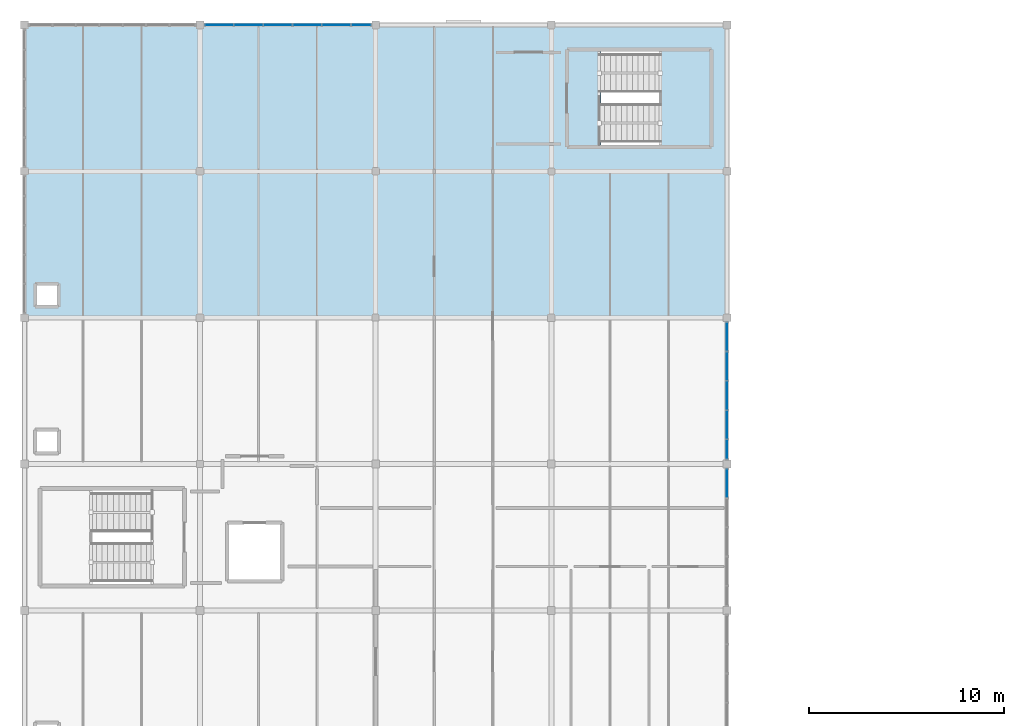
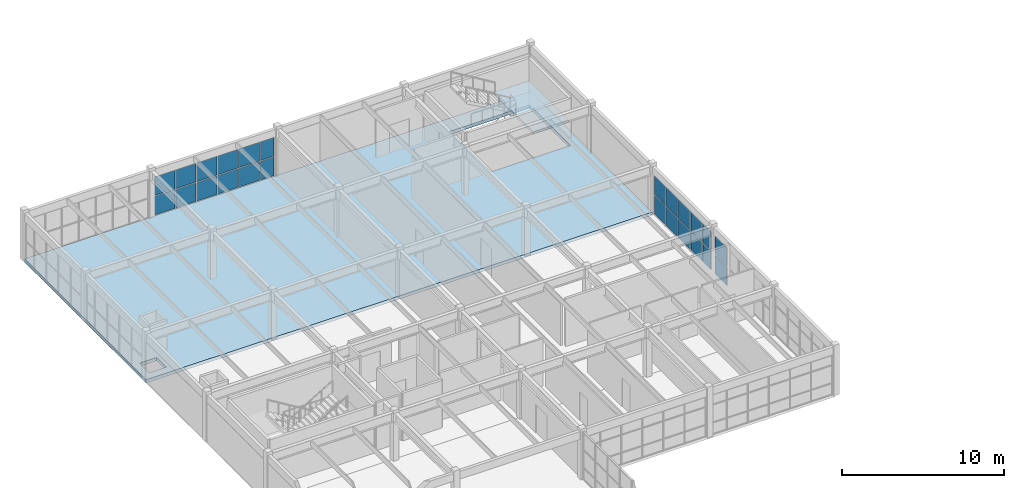
# One storey, part 59 of 81: 24 plates, 2 slabs, 4 elements without a shape of their own.
"""IFC4 building model written with IfcOpenShell, lengths in metres."""

import ifcopenshell
import ifcopenshell.guid

model = None  # the IFC model being written
_history = None  # IfcOwnerHistory: only IFC2X3 demands one
_inside = {}  # id of a spatial element -> (the spatial element, [elements in it])
_under = {}  # id of a project, library or spatial element -> (it, [spatial elements below it])
_declared = {}  # id of a project -> (the project, [libraries it declares])
_typed = {}  # id of a type object -> (the type object, [elements of that type])
_made_of = {}  # id of a material, layer set ... -> (it, [elements and type objects made of it])


def new_model(schema):
    """Start an empty IFC model of exactly this schema.

    Asked for "IFC4X3", IfcOpenShell would pick the latest addendum, in which some entities
    have other attributes; the version numbers below select the first issue.
    IFC2X3 requires an IfcOwnerHistory on every rooted entity: one is made here for all.
    """
    global model, _history
    if schema == "IFC4X3":
        model = ifcopenshell.file(schema_version=(4, 3, 0, 0))
    else:
        model = ifcopenshell.file(schema=schema)
    _inside.clear()
    _under.clear()
    _declared.clear()
    _typed.clear()
    _made_of.clear()
    _history = None
    if model.schema == "IFC2X3":
        org = make("IfcOrganization", Name="unknown")
        user = make(
            "IfcPersonAndOrganization",
            ThePerson=make("IfcPerson", FamilyName="unknown"),
            TheOrganization=org,
        )
        app = make(
            "IfcApplication",
            ApplicationDeveloper=org,
            Version="unknown",
            ApplicationFullName="unknown",
            ApplicationIdentifier="unknown",
        )
        _history = make(
            "IfcOwnerHistory",
            OwningUser=user,
            OwningApplication=app,
            ChangeAction="ADDED",
            CreationDate=0,
        )
    return model


def make(cls, **values):
    """One entity of the class cls with the attributes given. An attribute that is None is left unset."""
    return model.create_entity(
        cls, **{name: value for name, value in values.items() if value is not None}
    )


def rooted(cls, **values):
    """An entity with a GlobalId (a new one), such as an element, a storey or a relation."""
    return make(cls, GlobalId=ifcopenshell.guid.new(), OwnerHistory=_history, **values)


def si_unit(unit_type, name, prefix=None):
    """IfcSIUnit, for example si_unit("LENGTHUNIT", "METRE", prefix="MILLI")."""
    return make("IfcSIUnit", UnitType=unit_type, Prefix=prefix, Name=name)


def assignment(units):
    """IfcUnitAssignment: the units of a project."""
    return None if units is None else make("IfcUnitAssignment", Units=units)


def point(xyz):
    """IfcCartesianPoint."""
    return None if xyz is None else make("IfcCartesianPoint", Coordinates=xyz)


def direction(xyz):
    """IfcDirection."""
    return None if xyz is None else make("IfcDirection", DirectionRatios=xyz)


def frame(location, z_axis=None, x_axis=None):
    """IfcAxis2Placement3D, a coordinate frame: its origin and axes. An axis left out is left unset."""
    return make(
        "IfcAxis2Placement3D",
        Location=point(location),
        Axis=direction(z_axis),
        RefDirection=direction(x_axis),
    )


def frame_2d(location, x_axis=None):
    """IfcAxis2Placement2D, a coordinate frame in the plane: its origin and x axis."""
    return make(
        "IfcAxis2Placement2D", Location=point(location), RefDirection=direction(x_axis)
    )


def origin():
    """The frame at (0, 0, 0) with its axes left unset."""
    return frame((0.0, 0.0, 0.0))


def origin_2d():
    """The frame at (0, 0) in the plane with its x axis left unset."""
    return frame_2d((0.0, 0.0))


def place(relative_to, where):
    """IfcLocalPlacement: puts the frame where relative to a parent placement (None: the world)."""
    return make(
        "IfcLocalPlacement", PlacementRelTo=relative_to, RelativePlacement=where
    )


def context(
    kind, dimensions, precision=None, world=None, true_north=None, identifier=None
):
    """IfcGeometricRepresentationContext, for example the 3D "Model" context."""
    return make(
        "IfcGeometricRepresentationContext",
        ContextIdentifier=identifier,
        ContextType=kind,
        CoordinateSpaceDimension=dimensions,
        Precision=precision,
        WorldCoordinateSystem=world,
        TrueNorth=true_north,
    )


def subcontext(parent, identifier, kind, view, scale=None):
    """IfcGeometricRepresentationSubContext, for example "Body" below "Model"."""
    return make(
        "IfcGeometricRepresentationSubContext",
        ContextIdentifier=identifier,
        ContextType=kind,
        ParentContext=parent,
        TargetScale=scale,
        TargetView=view,
    )


def project(units=None, contexts=None):
    """IfcProject with its units and contexts."""
    return rooted(
        "IfcProject",
        Name="project",
        RepresentationContexts=contexts,
        UnitsInContext=assignment(units),
    )


def spatial(cls, under=None, at=None, **own):
    """A site, building, storey or space (cls), placed at a placement, below another one or the project."""
    s = rooted(cls, ObjectPlacement=at, **own)
    if under is not None:
        _under.setdefault(under.id(), (under, []))[1].append(s)
    return s


def polyline(points):
    """IfcPolyline through the points."""
    return make("IfcPolyline", Points=[point(p) for p in points])


def profile(cls, at=None, kind="AREA", **sizes):
    """A parametric profile (cls). Its sizes go by their IFC names, for example OverallWidth=200.0."""
    return make(cls, ProfileType=kind, Position=at, **sizes)


def rectangle(**sizes):
    """IfcRectangleProfileDef."""
    return profile("IfcRectangleProfileDef", **sizes)


def outline(outer, holes=None, kind="AREA"):
    """IfcArbitraryClosedProfileDef: a profile drawn as a closed curve; with holes, ...WithVoids."""
    if holes is None:
        return make("IfcArbitraryClosedProfileDef", ProfileType=kind, OuterCurve=outer)
    return make(
        "IfcArbitraryProfileDefWithVoids",
        ProfileType=kind,
        OuterCurve=outer,
        InnerCurves=holes,
    )


def extrude(swept, where, along, depth):
    """IfcExtrudedAreaSolid: the profile swept, set in the frame where, extruded along a direction by depth."""
    return make(
        "IfcExtrudedAreaSolid",
        SweptArea=swept,
        Position=where,
        ExtrudedDirection=direction(along),
        Depth=depth,
    )


def shape(context_of_items, identifier, shape_type, items):
    """IfcShapeRepresentation: the items that make up one representation, for example the "Body"."""
    return make(
        "IfcShapeRepresentation",
        ContextOfItems=context_of_items,
        RepresentationIdentifier=identifier,
        RepresentationType=shape_type,
        Items=items,
    )


def material(Name=None, Category=None):
    """IfcMaterial."""
    return make("IfcMaterial", Name=Name, Category=Category)


def layer(
    of_material, thickness, ventilated=None, Name=None, Category=None, Priority=None
):
    """IfcMaterialLayer: one layer of a wall or slab, of a material (None: an air gap)."""
    return make(
        "IfcMaterialLayer",
        Material=of_material,
        LayerThickness=thickness,
        IsVentilated=ventilated,
        Name=Name,
        Category=Category,
        Priority=Priority,
    )


def layer_set(layers, Name=None):
    """IfcMaterialLayerSet."""
    return make("IfcMaterialLayerSet", MaterialLayers=layers, LayerSetName=Name)


def made_of(thing, what):
    """Note that an element or type object is made of a material, layer set ...; save() writes the relation."""
    if what is not None:
        _made_of.setdefault(what.id(), (what, []))[1].append(thing)
    return thing


def type_object(cls, material=None, **own):
    """A type object (cls), such as IfcWallType, which elements share."""
    return made_of(rooted(cls, **own), material)


def element(
    cls,
    number,
    at=None,
    inside=None,
    cuts=None,
    type_object=None,
    material=None,
    context=None,
    identifier="Body",
    shape_type=None,
    held_by="IfcProductDefinitionShape",
    body=None,
    shapes=None,
    **own,
):
    """One element of the class cls, such as IfcWall. Its Tag is "e" and its number.

    at: its placement. inside: the storey or other place that contains it. cuts: it is an
    opening in that element (IfcRelVoidsElement). A single representation is given by context,
    identifier, shape_type and body (its items); several are given by shapes. held_by: the class
    of the entity that holds the representations. save() writes the other relations.
    """
    e = rooted(cls, Tag="e%d" % number, ObjectPlacement=at, **own)
    if body is not None:
        shapes = [shape(context, identifier, shape_type, body)]
    if shapes is not None:
        e.Representation = make(held_by, Representations=shapes)
    if inside is not None:
        _inside.setdefault(inside.id(), (inside, []))[1].append(e)
    if cuts is not None:
        rooted(
            "IfcRelVoidsElement", RelatingBuildingElement=cuts, RelatedOpeningElement=e
        )
    if type_object is not None:
        _typed.setdefault(type_object.id(), (type_object, []))[1].append(e)
    return made_of(e, material)


def aggregate(whole, parts):
    """IfcRelAggregates: a whole, such as a stair, and the parts it consists of."""
    return rooted("IfcRelAggregates", RelatingObject=whole, RelatedObjects=parts)


def save(model, path):
    """Write the relations noted so far, then the file.

    IfcRelAggregates (storeys below a building ...), IfcRelContainedInSpatialStructure (elements
    in a storey), IfcRelDefinesByType, IfcRelAssociatesMaterial and IfcRelDeclares: one each for
    every whole, place, type object, material and project.
    """
    for whole, parts in _under.values():
        aggregate(whole, parts)
    for where, things in _inside.values():
        rooted(
            "IfcRelContainedInSpatialStructure",
            RelatedElements=things,
            RelatingStructure=where,
        )
    for kind, things in _typed.values():
        rooted("IfcRelDefinesByType", RelatedObjects=things, RelatingType=kind)
    for what, things in _made_of.values():
        rooted("IfcRelAssociatesMaterial", RelatedObjects=things, RelatingMaterial=what)
    for by, libraries in _declared.values():
        rooted("IfcRelDeclares", RelatingContext=by, RelatedDefinitions=libraries)
    model.write(path)


model = new_model("IFC4")

# Units and contexts
model_context = context("Model", 3, precision=1e-05, world=origin(), true_north=direction((0.0, 1.0)))
body_context = subcontext(model_context, "Body", "Model", "MODEL_VIEW")
ifc_project = project(units=[si_unit("LENGTHUNIT", "METRE"), si_unit("AREAUNIT", "SQUARE_METRE"), si_unit("VOLUMEUNIT", "CUBIC_METRE"), si_unit("PLANEANGLEUNIT", "RADIAN"), si_unit("MASSUNIT", "GRAM", prefix="KILO")], contexts=[model_context])

# Site, building, storey
site_placement = place(None, origin())
site = spatial("IfcSite", under=ifc_project, at=site_placement, CompositionType="ELEMENT")
building_placement = place(site_placement, origin())
building = spatial("IfcBuilding", under=site, at=building_placement, Name="Marnridge Secondary College", CompositionType="ELEMENT")
storey_placement = place(building_placement, frame((0.0, 0.0, 8.5)))
storey = spatial("IfcBuildingStorey", under=building, at=storey_placement, Name="L02", CompositionType="ELEMENT", Elevation=8.5)

# Curtain wall, plates
ifc_material_1 = material(Name="Thermally broken aluminium and low-E glazing", Category="aluminium")
ifc_layer_1 = layer(ifc_material_1, 0.159912109375)
ifc_layer_set_1 = layer_set([ifc_layer_1], Name="CW-MOD-1500")
curtain_wall_type = type_object("IfcCurtainWallType", Name="CW-MOD-1500", PredefinedType="NOTDEFINED", material=ifc_layer_set_1)
curtain_wall_1_placement = place(storey_placement, origin())
curtain_wall_1 = element("IfcCurtainWall", 1, at=curtain_wall_1_placement, inside=storey, type_object=curtain_wall_type, Name="Unitised curtain wall CW-L02-088", PredefinedType="NOTDEFINED")
ifc_material_2 = material(Name="Double-glazed low-E argon unit", Category="glass")
ifc_layer_2 = layer(ifc_material_2, 0.028076171875)
ifc_layer_set_2 = layer_set([ifc_layer_2], Name="CWP-GLZ28")
plate_type = type_object("IfcPlateType", Name="CWP-GLZ28", PredefinedType="CURTAIN_PANEL", material=ifc_layer_set_2)
plate_1_placement = place(storey_placement, frame((9.98388671875, 120.0, 0.06005859375), z_axis=(0.0, 0.0, 1.0), x_axis=(1.0, 0.0, 0.0)))
plate_1 = element("IfcPlate", 2, at=plate_1_placement, type_object=plate_type, Name="CW-L02-088 panel 1.1", PredefinedType="CURTAIN_PANEL", context=body_context, shape_type="SweptSolid", body=[
    extrude(rectangle(XDim=1.43994140625, YDim=0.028076171875, at=origin_2d()), origin(), (0.0, 0.0, 1.0), 1.404052734375),
])
plate_2_placement = place(storey_placement, frame((9.98388671875, 120.0, 1.52392578125), z_axis=(0.0, 0.0, 1.0), x_axis=(1.0, 0.0, 0.0)))
plate_2 = element("IfcPlate", 3, at=plate_2_placement, type_object=plate_type, Name="CW-L02-088 panel 1.2", PredefinedType="CURTAIN_PANEL", context=body_context, shape_type="SweptSolid", body=[
    extrude(rectangle(XDim=1.43994140625, YDim=0.028076171875, at=origin_2d()), origin(), (0.0, 0.0, 1.0), 1.403076171875),
])
plate_3_placement = place(storey_placement, frame((11.48388671875, 120.0, 0.06005859375), z_axis=(0.0, 0.0, 1.0), x_axis=(1.0, 0.0, 0.0)))
plate_3 = element("IfcPlate", 4, at=plate_3_placement, type_object=plate_type, Name="CW-L02-088 panel 2.1", PredefinedType="CURTAIN_PANEL", context=body_context, shape_type="SweptSolid", body=[
    extrude(rectangle(XDim=1.43994140625, YDim=0.028076171875, at=origin_2d()), origin(), (0.0, 0.0, 1.0), 1.404052734375),
])
plate_4_placement = place(storey_placement, frame((11.48388671875, 120.0, 1.52392578125), z_axis=(0.0, 0.0, 1.0), x_axis=(1.0, 0.0, 0.0)))
plate_4 = element("IfcPlate", 5, at=plate_4_placement, type_object=plate_type, Name="CW-L02-088 panel 2.2", PredefinedType="CURTAIN_PANEL", context=body_context, shape_type="SweptSolid", body=[
    extrude(rectangle(XDim=1.43994140625, YDim=0.028076171875, at=origin_2d()), origin(), (0.0, 0.0, 1.0), 1.403076171875),
])
plate_5_placement = place(storey_placement, frame((12.98388671875, 120.0, 0.06005859375), z_axis=(0.0, 0.0, 1.0), x_axis=(1.0, 0.0, 0.0)))
plate_5 = element("IfcPlate", 6, at=plate_5_placement, type_object=plate_type, Name="CW-L02-088 panel 3.1", PredefinedType="CURTAIN_PANEL", context=body_context, shape_type="SweptSolid", body=[
    extrude(rectangle(XDim=1.43994140625, YDim=0.028076171875, at=origin_2d()), origin(), (0.0, 0.0, 1.0), 1.404052734375),
])
plate_6_placement = place(storey_placement, frame((12.98388671875, 120.0, 1.52392578125), z_axis=(0.0, 0.0, 1.0), x_axis=(1.0, 0.0, 0.0)))
plate_6 = element("IfcPlate", 7, at=plate_6_placement, type_object=plate_type, Name="CW-L02-088 panel 3.2", PredefinedType="CURTAIN_PANEL", context=body_context, shape_type="SweptSolid", body=[
    extrude(rectangle(XDim=1.43994140625, YDim=0.028076171875, at=origin_2d()), origin(), (0.0, 0.0, 1.0), 1.403076171875),
])
plate_7_placement = place(storey_placement, frame((14.48388671875, 120.0, 0.06005859375), z_axis=(0.0, 0.0, 1.0), x_axis=(1.0, 0.0, 0.0)))
plate_7 = element("IfcPlate", 8, at=plate_7_placement, type_object=plate_type, Name="CW-L02-088 panel 4.1", PredefinedType="CURTAIN_PANEL", context=body_context, shape_type="SweptSolid", body=[
    extrude(rectangle(XDim=1.43994140625, YDim=0.028076171875, at=origin_2d()), origin(), (0.0, 0.0, 1.0), 1.404052734375),
])
plate_8_placement = place(storey_placement, frame((14.48388671875, 120.0, 1.52392578125), z_axis=(0.0, 0.0, 1.0), x_axis=(1.0, 0.0, 0.0)))
plate_8 = element("IfcPlate", 9, at=plate_8_placement, type_object=plate_type, Name="CW-L02-088 panel 4.2", PredefinedType="CURTAIN_PANEL", context=body_context, shape_type="SweptSolid", body=[
    extrude(rectangle(XDim=1.43994140625, YDim=0.028076171875, at=origin_2d()), origin(), (0.0, 0.0, 1.0), 1.403076171875),
])
plate_9_placement = place(storey_placement, frame((15.98388671875, 120.0, 0.06005859375), z_axis=(0.0, 0.0, 1.0), x_axis=(1.0, 0.0, 0.0)))
plate_9 = element("IfcPlate", 10, at=plate_9_placement, type_object=plate_type, Name="CW-L02-088 panel 5.1", PredefinedType="CURTAIN_PANEL", context=body_context, shape_type="SweptSolid", body=[
    extrude(rectangle(XDim=1.43994140625, YDim=0.028076171875, at=origin_2d()), origin(), (0.0, 0.0, 1.0), 1.404052734375),
])
plate_10_placement = place(storey_placement, frame((15.98388671875, 120.0, 1.52392578125), z_axis=(0.0, 0.0, 1.0), x_axis=(1.0, 0.0, 0.0)))
plate_10 = element("IfcPlate", 11, at=plate_10_placement, type_object=plate_type, Name="CW-L02-088 panel 5.2", PredefinedType="CURTAIN_PANEL", context=body_context, shape_type="SweptSolid", body=[
    extrude(rectangle(XDim=1.43994140625, YDim=0.028076171875, at=origin_2d()), origin(), (0.0, 0.0, 1.0), 1.403076171875),
])
plate_11_placement = place(storey_placement, frame((17.25, 120.0, 0.06005859375), z_axis=(0.0, 0.0, 1.0), x_axis=(1.0, 0.0, 0.0)))
plate_11 = element("IfcPlate", 12, at=plate_11_placement, type_object=plate_type, Name="CW-L02-088 panel 6.1", PredefinedType="CURTAIN_PANEL", context=body_context, shape_type="SweptSolid", body=[
    extrude(rectangle(XDim=0.971923828125, YDim=0.028076171875, at=origin_2d()), origin(), (0.0, 0.0, 1.0), 1.404052734375),
])
plate_12_placement = place(storey_placement, frame((17.25, 120.0, 1.52392578125), z_axis=(0.0, 0.0, 1.0), x_axis=(1.0, 0.0, 0.0)))
plate_12 = element("IfcPlate", 13, at=plate_12_placement, type_object=plate_type, Name="CW-L02-088 panel 6.2", PredefinedType="CURTAIN_PANEL", context=body_context, shape_type="SweptSolid", body=[
    extrude(rectangle(XDim=0.971923828125, YDim=0.028076171875, at=origin_2d()), origin(), (0.0, 0.0, 1.0), 1.403076171875),
])
aggregate(curtain_wall_1, [plate_1, plate_2, plate_3, plate_4, plate_5, plate_6, plate_7, plate_8, plate_9, plate_10, plate_11, plate_12])

curtain_wall_2_placement = place(storey_placement, origin())
curtain_wall_2 = element("IfcCurtainWall", 14, at=curtain_wall_2_placement, inside=storey, type_object=curtain_wall_type, Name="Unitised curtain wall CW-L02-089", PredefinedType="NOTDEFINED")
plate_13_placement = place(storey_placement, frame((36.0, 104.01611328125, 0.06005859375), z_axis=(0.0, 0.0, 1.0), x_axis=(0.0, -1.0, 0.0)))
plate_13 = element("IfcPlate", 15, at=plate_13_placement, type_object=plate_type, Name="CW-L02-089 panel 1.1", PredefinedType="CURTAIN_PANEL", context=body_context, shape_type="SweptSolid", body=[
    extrude(rectangle(XDim=1.43994140625, YDim=0.028076171875, at=origin_2d()), origin(), (0.0, 0.0, 1.0), 1.404052734375),
])
plate_14_placement = place(storey_placement, frame((36.0, 104.01611328125, 1.52392578125), z_axis=(0.0, 0.0, 1.0), x_axis=(0.0, -1.0, 0.0)))
plate_14 = element("IfcPlate", 16, at=plate_14_placement, type_object=plate_type, Name="CW-L02-089 panel 1.2", PredefinedType="CURTAIN_PANEL", context=body_context, shape_type="SweptSolid", body=[
    extrude(rectangle(XDim=1.43994140625, YDim=0.028076171875, at=origin_2d()), origin(), (0.0, 0.0, 1.0), 1.403076171875),
])
plate_15_placement = place(storey_placement, frame((36.0, 102.51611328125, 0.06005859375), z_axis=(0.0, 0.0, 1.0), x_axis=(0.0, -1.0, 0.0)))
plate_15 = element("IfcPlate", 17, at=plate_15_placement, type_object=plate_type, Name="CW-L02-089 panel 2.1", PredefinedType="CURTAIN_PANEL", context=body_context, shape_type="SweptSolid", body=[
    extrude(rectangle(XDim=1.43994140625, YDim=0.028076171875, at=origin_2d()), origin(), (0.0, 0.0, 1.0), 1.404052734375),
])
plate_16_placement = place(storey_placement, frame((36.0, 102.51611328125, 1.52392578125), z_axis=(0.0, 0.0, 1.0), x_axis=(0.0, -1.0, 0.0)))
plate_16 = element("IfcPlate", 18, at=plate_16_placement, type_object=plate_type, Name="CW-L02-089 panel 2.2", PredefinedType="CURTAIN_PANEL", context=body_context, shape_type="SweptSolid", body=[
    extrude(rectangle(XDim=1.43994140625, YDim=0.028076171875, at=origin_2d()), origin(), (0.0, 0.0, 1.0), 1.403076171875),
])
plate_17_placement = place(storey_placement, frame((36.0, 101.01611328125, 0.06005859375), z_axis=(0.0, 0.0, 1.0), x_axis=(0.0, -1.0, 0.0)))
plate_17 = element("IfcPlate", 19, at=plate_17_placement, type_object=plate_type, Name="CW-L02-089 panel 3.1", PredefinedType="CURTAIN_PANEL", context=body_context, shape_type="SweptSolid", body=[
    extrude(rectangle(XDim=1.43994140625, YDim=0.028076171875, at=origin_2d()), origin(), (0.0, 0.0, 1.0), 1.404052734375),
])
plate_18_placement = place(storey_placement, frame((36.0, 101.01611328125, 1.52392578125), z_axis=(0.0, 0.0, 1.0), x_axis=(0.0, -1.0, 0.0)))
plate_18 = element("IfcPlate", 20, at=plate_18_placement, type_object=plate_type, Name="CW-L02-089 panel 3.2", PredefinedType="CURTAIN_PANEL", context=body_context, shape_type="SweptSolid", body=[
    extrude(rectangle(XDim=1.43994140625, YDim=0.028076171875, at=origin_2d()), origin(), (0.0, 0.0, 1.0), 1.403076171875),
])
plate_19_placement = place(storey_placement, frame((36.0, 99.51611328125, 0.06005859375), z_axis=(0.0, 0.0, 1.0), x_axis=(0.0, -1.0, 0.0)))
plate_19 = element("IfcPlate", 21, at=plate_19_placement, type_object=plate_type, Name="CW-L02-089 panel 4.1", PredefinedType="CURTAIN_PANEL", context=body_context, shape_type="SweptSolid", body=[
    extrude(rectangle(XDim=1.43994140625, YDim=0.028076171875, at=origin_2d()), origin(), (0.0, 0.0, 1.0), 1.404052734375),
])
plate_20_placement = place(storey_placement, frame((36.0, 99.51611328125, 1.52392578125), z_axis=(0.0, 0.0, 1.0), x_axis=(0.0, -1.0, 0.0)))
plate_20 = element("IfcPlate", 22, at=plate_20_placement, type_object=plate_type, Name="CW-L02-089 panel 4.2", PredefinedType="CURTAIN_PANEL", context=body_context, shape_type="SweptSolid", body=[
    extrude(rectangle(XDim=1.43994140625, YDim=0.028076171875, at=origin_2d()), origin(), (0.0, 0.0, 1.0), 1.403076171875),
])
plate_21_placement = place(storey_placement, frame((36.0, 98.25, 0.06005859375), z_axis=(0.0, 0.0, 1.0), x_axis=(0.0, -1.0, 0.0)))
plate_21 = element("IfcPlate", 23, at=plate_21_placement, type_object=plate_type, Name="CW-L02-089 panel 5.1", PredefinedType="CURTAIN_PANEL", context=body_context, shape_type="SweptSolid", body=[
    extrude(rectangle(XDim=0.971923828125, YDim=0.028076171875, at=origin_2d()), origin(), (0.0, 0.0, 1.0), 1.404052734375),
])
plate_22_placement = place(storey_placement, frame((36.0, 98.25, 1.52392578125), z_axis=(0.0, 0.0, 1.0), x_axis=(0.0, -1.0, 0.0)))
plate_22 = element("IfcPlate", 24, at=plate_22_placement, type_object=plate_type, Name="CW-L02-089 panel 5.2", PredefinedType="CURTAIN_PANEL", context=body_context, shape_type="SweptSolid", body=[
    extrude(rectangle(XDim=0.971923828125, YDim=0.028076171875, at=origin_2d()), origin(), (0.0, 0.0, 1.0), 1.403076171875),
])
aggregate(curtain_wall_2, [plate_13, plate_14, plate_15, plate_16, plate_17, plate_18, plate_19, plate_20, plate_21, plate_22])

curtain_wall_3_placement = place(storey_placement, origin())
curtain_wall_3 = element("IfcCurtainWall", 25, at=curtain_wall_3_placement, inside=storey, type_object=curtain_wall_type, Name="Unitised curtain wall CW-L02-090", PredefinedType="NOTDEFINED")
plate_23_placement = place(storey_placement, frame((36.0, 96.51611328125, 0.06005859375), z_axis=(0.0, 0.0, 1.0), x_axis=(0.0, -1.0, 0.0)))
plate_23 = element("IfcPlate", 26, at=plate_23_placement, type_object=plate_type, Name="CW-L02-090 panel 1.1", PredefinedType="CURTAIN_PANEL", context=body_context, shape_type="SweptSolid", body=[
    extrude(rectangle(XDim=1.43994140625, YDim=0.028076171875, at=origin_2d()), origin(), (0.0, 0.0, 1.0), 1.404052734375),
])
plate_24_placement = place(storey_placement, frame((36.0, 96.51611328125, 1.52392578125), z_axis=(0.0, 0.0, 1.0), x_axis=(0.0, -1.0, 0.0)))
plate_24 = element("IfcPlate", 27, at=plate_24_placement, type_object=plate_type, Name="CW-L02-090 panel 1.2", PredefinedType="CURTAIN_PANEL", context=body_context, shape_type="SweptSolid", body=[
    extrude(rectangle(XDim=1.43994140625, YDim=0.028076171875, at=origin_2d()), origin(), (0.0, 0.0, 1.0), 1.403076171875),
])
aggregate(curtain_wall_3, [plate_23, plate_24])

# Slab
ifc_material_3 = material(Name="Cross-laminated timber CL7", Category="wood")
ifc_layer_3 = layer(ifc_material_3, 0.239990234375)
ifc_layer_set_3 = layer_set([ifc_layer_3], Name="SL-CLT-240")
slab_type_1 = type_object("IfcSlabType", Name="SL-CLT-240", PredefinedType="FLOOR", material=ifc_layer_set_3)
slab_1_placement = place(storey_placement, frame((0.0, 0.0, -0.239990234375)))
element("IfcSlab", 28, at=slab_1_placement, inside=storey, type_object=slab_type_1, Name="Floor slab SL-L02-034", PredefinedType="FLOOR", context=body_context, shape_type="SweptSolid", body=[
    extrude(outline(polyline([(36.0, 105.0), (0.0, 105.0), (0.0, 120.0), (36.0, 120.0), (36.0, 105.0)]), holes=[polyline([(29.550048828125, 113.75), (35.199951171875, 113.75), (35.199951171875, 118.75), (29.550048828125, 118.75), (29.550048828125, 113.75)]), polyline([(0.550048828125, 105.550048828125), (1.75, 105.550048828125), (1.75, 106.75), (0.550048828125, 106.75), (0.550048828125, 105.550048828125)])]), origin(), (0.0, 0.0, 1.0), 0.239990234375),
])

# Stair, slab
ifc_material_4 = material(Name="Concrete C40/50 (AS 3600 N40, 40 MPa)", Category="concrete")
stair_type = type_object("IfcStairType", Name="STC1", PredefinedType="HALF_TURN_STAIR", material=ifc_material_4)
stair_placement = place(storey_placement, origin())
stair = element("IfcStair", 29, at=stair_placement, inside=storey, type_object=stair_type, Name="Fire-isolated stair ST-06-L02", PredefinedType="HALF_TURN_STAIR")
ifc_material_5 = material(Name="Concrete C40/50 (AS 3600 N40, 40 MPa)", Category="concrete")
ifc_layer_4 = layer(ifc_material_5, 0.199951171875)
ifc_layer_set_4 = layer_set([ifc_layer_4], Name="SL-LAND-200")
slab_type_2 = type_object("IfcSlabType", Name="SL-LAND-200", PredefinedType="LANDING", material=ifc_layer_set_4)
slab_2_placement = place(storey_placement, frame((0.0, 0.0, 1.699951171875)))
slab_2 = element("IfcSlab", 30, at=slab_2_placement, type_object=slab_type_2, Name="ST-06-L02 landing 1", PredefinedType="LANDING", context=body_context, shape_type="SweptSolid", body=[
    extrude(outline(polyline([(32.5849609375, 113.81005859375), (35.139892578125, 113.81005859375), (35.139892578125, 118.68994140625), (32.5849609375, 118.68994140625), (32.5849609375, 113.81005859375)])), origin(), (0.0, 0.0, 1.0), 0.199951171875),
])
aggregate(stair, [slab_2])

save(model, "model.ifc")
